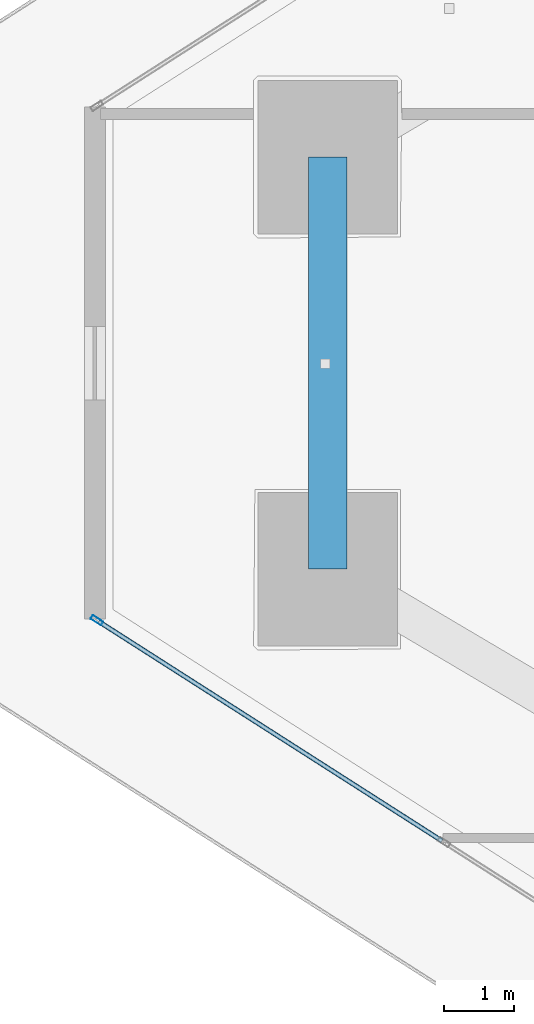
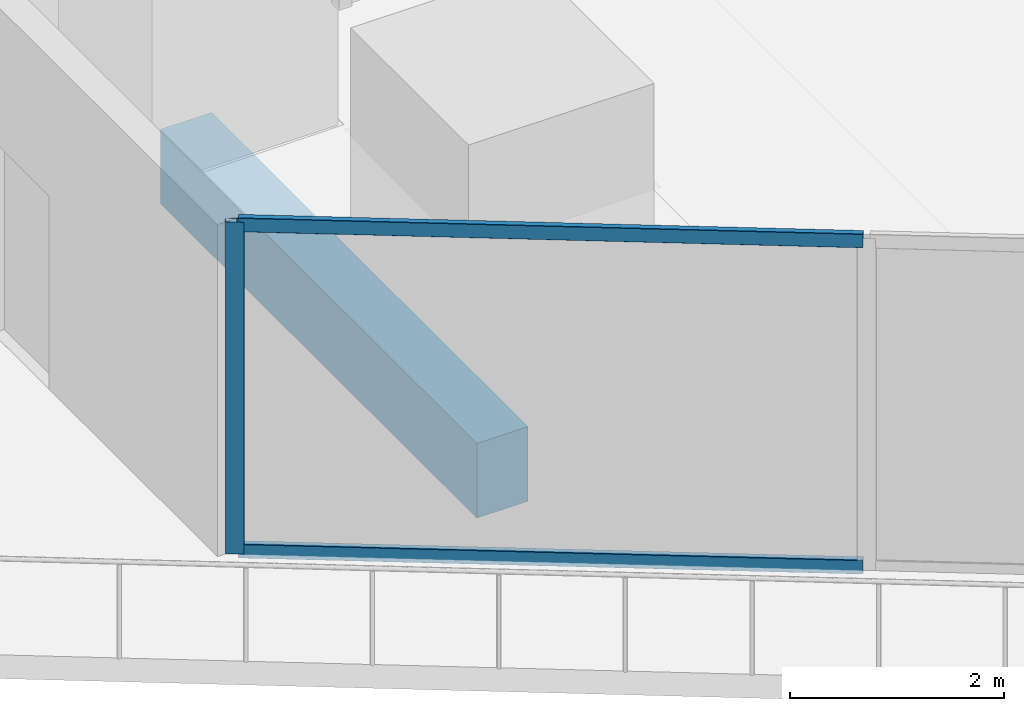
# One storey, part 5 of 39: 3 members, 1 beam, 1 element without a shape of its own.
"""IFC4 building model written with IfcOpenShell, lengths in metres."""

import ifcopenshell
import ifcopenshell.guid

model = None  # the IFC model being written
_history = None  # IfcOwnerHistory: only IFC2X3 demands one
_inside = {}  # id of a spatial element -> (the spatial element, [elements in it])
_under = {}  # id of a project, library or spatial element -> (it, [spatial elements below it])
_declared = {}  # id of a project -> (the project, [libraries it declares])
_typed = {}  # id of a type object -> (the type object, [elements of that type])
_made_of = {}  # id of a material, layer set ... -> (it, [elements and type objects made of it])


def new_model(schema):
    """Start an empty IFC model of exactly this schema.

    Asked for "IFC4X3", IfcOpenShell would pick the latest addendum, in which some entities
    have other attributes; the version numbers below select the first issue.
    IFC2X3 requires an IfcOwnerHistory on every rooted entity: one is made here for all.
    """
    global model, _history
    if schema == "IFC4X3":
        model = ifcopenshell.file(schema_version=(4, 3, 0, 0))
    else:
        model = ifcopenshell.file(schema=schema)
    _inside.clear()
    _under.clear()
    _declared.clear()
    _typed.clear()
    _made_of.clear()
    _history = None
    if model.schema == "IFC2X3":
        org = make("IfcOrganization", Name="unknown")
        user = make(
            "IfcPersonAndOrganization",
            ThePerson=make("IfcPerson", FamilyName="unknown"),
            TheOrganization=org,
        )
        app = make(
            "IfcApplication",
            ApplicationDeveloper=org,
            Version="unknown",
            ApplicationFullName="unknown",
            ApplicationIdentifier="unknown",
        )
        _history = make(
            "IfcOwnerHistory",
            OwningUser=user,
            OwningApplication=app,
            ChangeAction="ADDED",
            CreationDate=0,
        )
    return model


def make(cls, **values):
    """One entity of the class cls with the attributes given. An attribute that is None is left unset."""
    return model.create_entity(
        cls, **{name: value for name, value in values.items() if value is not None}
    )


def rooted(cls, **values):
    """An entity with a GlobalId (a new one), such as an element, a storey or a relation."""
    return make(cls, GlobalId=ifcopenshell.guid.new(), OwnerHistory=_history, **values)


def si_unit(unit_type, name, prefix=None):
    """IfcSIUnit, for example si_unit("LENGTHUNIT", "METRE", prefix="MILLI")."""
    return make("IfcSIUnit", UnitType=unit_type, Prefix=prefix, Name=name)


def assignment(units):
    """IfcUnitAssignment: the units of a project."""
    return None if units is None else make("IfcUnitAssignment", Units=units)


def point(xyz):
    """IfcCartesianPoint."""
    return None if xyz is None else make("IfcCartesianPoint", Coordinates=xyz)


def direction(xyz):
    """IfcDirection."""
    return None if xyz is None else make("IfcDirection", DirectionRatios=xyz)


def frame(location, z_axis=None, x_axis=None):
    """IfcAxis2Placement3D, a coordinate frame: its origin and axes. An axis left out is left unset."""
    return make(
        "IfcAxis2Placement3D",
        Location=point(location),
        Axis=direction(z_axis),
        RefDirection=direction(x_axis),
    )


def frame_2d(location, x_axis=None):
    """IfcAxis2Placement2D, a coordinate frame in the plane: its origin and x axis."""
    return make(
        "IfcAxis2Placement2D", Location=point(location), RefDirection=direction(x_axis)
    )


def origin():
    """The frame at (0, 0, 0) with its axes left unset."""
    return frame((0.0, 0.0, 0.0))


def origin_2d():
    """The frame at (0, 0) in the plane with its x axis left unset."""
    return frame_2d((0.0, 0.0))


def place(relative_to, where):
    """IfcLocalPlacement: puts the frame where relative to a parent placement (None: the world)."""
    return make(
        "IfcLocalPlacement", PlacementRelTo=relative_to, RelativePlacement=where
    )


def context(
    kind, dimensions, precision=None, world=None, true_north=None, identifier=None
):
    """IfcGeometricRepresentationContext, for example the 3D "Model" context."""
    return make(
        "IfcGeometricRepresentationContext",
        ContextIdentifier=identifier,
        ContextType=kind,
        CoordinateSpaceDimension=dimensions,
        Precision=precision,
        WorldCoordinateSystem=world,
        TrueNorth=true_north,
    )


def subcontext(parent, identifier, kind, view, scale=None):
    """IfcGeometricRepresentationSubContext, for example "Body" below "Model"."""
    return make(
        "IfcGeometricRepresentationSubContext",
        ContextIdentifier=identifier,
        ContextType=kind,
        ParentContext=parent,
        TargetScale=scale,
        TargetView=view,
    )


def project(units=None, contexts=None):
    """IfcProject with its units and contexts."""
    return rooted(
        "IfcProject",
        Name="project",
        RepresentationContexts=contexts,
        UnitsInContext=assignment(units),
    )


def spatial(cls, under=None, at=None, **own):
    """A site, building, storey or space (cls), placed at a placement, below another one or the project."""
    s = rooted(cls, ObjectPlacement=at, **own)
    if under is not None:
        _under.setdefault(under.id(), (under, []))[1].append(s)
    return s


def profile(cls, at=None, kind="AREA", **sizes):
    """A parametric profile (cls). Its sizes go by their IFC names, for example OverallWidth=200.0."""
    return make(cls, ProfileType=kind, Position=at, **sizes)


def rectangle(**sizes):
    """IfcRectangleProfileDef."""
    return profile("IfcRectangleProfileDef", **sizes)


def hollow_rectangle(**sizes):
    """IfcRectangleHollowProfileDef."""
    return profile("IfcRectangleHollowProfileDef", **sizes)


def extrude(swept, where, along, depth):
    """IfcExtrudedAreaSolid: the profile swept, set in the frame where, extruded along a direction by depth."""
    return make(
        "IfcExtrudedAreaSolid",
        SweptArea=swept,
        Position=where,
        ExtrudedDirection=direction(along),
        Depth=depth,
    )


def shape(context_of_items, identifier, shape_type, items):
    """IfcShapeRepresentation: the items that make up one representation, for example the "Body"."""
    return make(
        "IfcShapeRepresentation",
        ContextOfItems=context_of_items,
        RepresentationIdentifier=identifier,
        RepresentationType=shape_type,
        Items=items,
    )


def material(Name=None, Category=None):
    """IfcMaterial."""
    return make("IfcMaterial", Name=Name, Category=Category)


def layer(
    of_material, thickness, ventilated=None, Name=None, Category=None, Priority=None
):
    """IfcMaterialLayer: one layer of a wall or slab, of a material (None: an air gap)."""
    return make(
        "IfcMaterialLayer",
        Material=of_material,
        LayerThickness=thickness,
        IsVentilated=ventilated,
        Name=Name,
        Category=Category,
        Priority=Priority,
    )


def layer_set(layers, Name=None):
    """IfcMaterialLayerSet."""
    return make("IfcMaterialLayerSet", MaterialLayers=layers, LayerSetName=Name)


def material_profile(
    of_material, cross_section, Name=None, Category=None, Priority=None
):
    """IfcMaterialProfile: a cross section and its material."""
    return make(
        "IfcMaterialProfile",
        Name=Name,
        Material=of_material,
        Profile=cross_section,
        Priority=Priority,
        Category=Category,
    )


def profile_set(profiles, Name=None, composite=None):
    """IfcMaterialProfileSet."""
    return make(
        "IfcMaterialProfileSet",
        Name=Name,
        MaterialProfiles=profiles,
        CompositeProfile=composite,
    )


def made_of(thing, what):
    """Note that an element or type object is made of a material, layer set ...; save() writes the relation."""
    if what is not None:
        _made_of.setdefault(what.id(), (what, []))[1].append(thing)
    return thing


def type_object(cls, material=None, **own):
    """A type object (cls), such as IfcWallType, which elements share."""
    return made_of(rooted(cls, **own), material)


def element(
    cls,
    number,
    at=None,
    inside=None,
    cuts=None,
    type_object=None,
    material=None,
    context=None,
    identifier="Body",
    shape_type=None,
    held_by="IfcProductDefinitionShape",
    body=None,
    shapes=None,
    **own,
):
    """One element of the class cls, such as IfcWall. Its Tag is "e" and its number.

    at: its placement. inside: the storey or other place that contains it. cuts: it is an
    opening in that element (IfcRelVoidsElement). A single representation is given by context,
    identifier, shape_type and body (its items); several are given by shapes. held_by: the class
    of the entity that holds the representations. save() writes the other relations.
    """
    e = rooted(cls, Tag="e%d" % number, ObjectPlacement=at, **own)
    if body is not None:
        shapes = [shape(context, identifier, shape_type, body)]
    if shapes is not None:
        e.Representation = make(held_by, Representations=shapes)
    if inside is not None:
        _inside.setdefault(inside.id(), (inside, []))[1].append(e)
    if cuts is not None:
        rooted(
            "IfcRelVoidsElement", RelatingBuildingElement=cuts, RelatedOpeningElement=e
        )
    if type_object is not None:
        _typed.setdefault(type_object.id(), (type_object, []))[1].append(e)
    return made_of(e, material)


def aggregate(whole, parts):
    """IfcRelAggregates: a whole, such as a stair, and the parts it consists of."""
    return rooted("IfcRelAggregates", RelatingObject=whole, RelatedObjects=parts)


def save(model, path):
    """Write the relations noted so far, then the file.

    IfcRelAggregates (storeys below a building ...), IfcRelContainedInSpatialStructure (elements
    in a storey), IfcRelDefinesByType, IfcRelAssociatesMaterial and IfcRelDeclares: one each for
    every whole, place, type object, material and project.
    """
    for whole, parts in _under.values():
        aggregate(whole, parts)
    for where, things in _inside.values():
        rooted(
            "IfcRelContainedInSpatialStructure",
            RelatedElements=things,
            RelatingStructure=where,
        )
    for kind, things in _typed.values():
        rooted("IfcRelDefinesByType", RelatedObjects=things, RelatingType=kind)
    for what, things in _made_of.values():
        rooted("IfcRelAssociatesMaterial", RelatedObjects=things, RelatingMaterial=what)
    for by, libraries in _declared.values():
        rooted("IfcRelDeclares", RelatingContext=by, RelatedDefinitions=libraries)
    model.write(path)


model = new_model("IFC4")

# Units and contexts
model_context = context("Model", 3, precision=1e-05, world=origin(), true_north=direction((0.0, 1.0)))
body_context = subcontext(model_context, "Body", "Model", "MODEL_VIEW")
ifc_project = project(units=[si_unit("LENGTHUNIT", "METRE"), si_unit("AREAUNIT", "SQUARE_METRE"), si_unit("VOLUMEUNIT", "CUBIC_METRE"), si_unit("PLANEANGLEUNIT", "RADIAN"), si_unit("MASSUNIT", "GRAM", prefix="KILO")], contexts=[model_context])

# Site, building, storey
site_placement = place(None, origin())
site = spatial("IfcSite", under=ifc_project, at=site_placement, CompositionType="ELEMENT")
building_placement = place(site_placement, origin())
building = spatial("IfcBuilding", under=site, at=building_placement, Name="Qorvath Tower", CompositionType="ELEMENT")
storey_placement = place(building_placement, frame((0.0, 0.0, 162.449951171875)))
storey = spatial("IfcBuildingStorey", under=building, at=storey_placement, Name="L37", CompositionType="ELEMENT", Elevation=162.449951171875)

# Beam
ifc_material_1 = material(Name="Concrete C50/60", Category="concrete")
ifc_material_profile_1 = material_profile(ifc_material_1, rectangle(XDim=0.550048828125, YDim=0.85009765625, at=origin_2d()), Name="RCB 850x550")
ifc_profile_set_1 = profile_set([ifc_material_profile_1], Name="Concrete C50/60")
beam_type = type_object("IfcBeamType", Name="BM-RCB2", PredefinedType="SPANDREL", material=ifc_profile_set_1)
beam_placement = place(storey_placement, frame((-53.04931640625, 2.95068359375, -0.695068359375), z_axis=(0.0, -1.0, 0.0), x_axis=(1.0, 0.0, 0.0)))
element("IfcBeam", 1, at=beam_placement, inside=storey, type_object=beam_type, Name="Perimeter Loggia Frame Beam MC1-MC2 L37", PredefinedType="SPANDREL", context=body_context, shape_type="SweptSolid", body=[
    extrude(rectangle(XDim=0.550048828125, YDim=0.85009765625, at=origin_2d()), origin(), (0.0, 0.0, 1.0), 5.9013671875),
])

# Curtain wall, members
ifc_material_2 = material(Name="Anodised aluminium and triple low-E glass", Category="aluminium")
ifc_layer = layer(ifc_material_2, 0.179931640625)
ifc_layer_set = layer_set([ifc_layer], Name="CW-SYS-3")
curtain_wall_type = type_object("IfcCurtainWallType", Name="CW-SYS-3", PredefinedType="NOTDEFINED", material=ifc_layer_set)
curtain_wall_placement = place(storey_placement, origin())
curtain_wall = element("IfcCurtainWall", 2, at=curtain_wall_placement, inside=storey, type_object=curtain_wall_type, Name="Curtain Wall CW-3 CW-T-L37-2.1", PredefinedType="NOTDEFINED")
ifc_material_3 = material(Name="Anodised aluminium 6063-T6", Category="aluminium")
ifc_material_profile_2 = material_profile(ifc_material_3, hollow_rectangle(XDim=0.06494140625, YDim=0.179931640625, WallThickness=0.00341796875, InnerFilletRadius=0.00341796875, OuterFilletRadius=0.007080078125, at=origin_2d()), Name="CWM 180x65")
ifc_profile_set_2 = profile_set([ifc_material_profile_2], Name="Anodised aluminium 6063-T6")
member_type_1 = type_object("IfcMemberType", Name="CWM-180", PredefinedType="MULLION", material=ifc_profile_set_2)
member_1_placement = place(storey_placement, frame((-56.35498046875, -3.68408203125, 0.0), z_axis=(0.0, 0.0, 1.0), x_axis=(0.538533895245, 0.842603847411, 0.0)))
member_1 = element("IfcMember", 3, at=member_1_placement, type_object=member_type_1, Name="CW-3 mullion 1", PredefinedType="MULLION", context=body_context, shape_type="SweptSolid", body=[
    extrude(hollow_rectangle(XDim=0.06494140625, YDim=0.179931640625, WallThickness=0.00341796875, InnerFilletRadius=0.00341796875, OuterFilletRadius=0.007080078125, at=origin_2d()), origin(), (0.0, 0.0, 1.0), 3.780029296875),
])
ifc_material_4 = material(Name="Anodised aluminium 6063-T6", Category="aluminium")
ifc_material_profile_3 = material_profile(ifc_material_4, hollow_rectangle(XDim=0.06494140625, YDim=0.159912109375, WallThickness=0.00341796875, InnerFilletRadius=0.00341796875, OuterFilletRadius=0.007080078125, at=origin_2d()), Name="CWT 160x65")
ifc_profile_set_3 = profile_set([ifc_material_profile_3], Name="Anodised aluminium 6063-T6")
member_type_2 = type_object("IfcMemberType", Name="CWT-160", PredefinedType="USERDEFINED", material=ifc_profile_set_3)
member_2_placement = place(storey_placement, frame((-56.32763671875, -3.70166015625, 0.032470703125), z_axis=(0.842598707397, -0.538541937358, 0.0), x_axis=(0.538541937358, 0.842598707397, 0.0)))
member_2 = element("IfcMember", 4, at=member_2_placement, type_object=member_type_2, Name="CW-3 transom 1.1", ObjectType="TRANSOM", PredefinedType="USERDEFINED", context=body_context, shape_type="SweptSolid", body=[
    extrude(hollow_rectangle(XDim=0.06494140625, YDim=0.159912109375, WallThickness=0.00341796875, InnerFilletRadius=0.00341796875, OuterFilletRadius=0.007080078125, at=origin_2d()), origin(), (0.0, 0.0, 1.0), 5.835693359375),
])
member_3_placement = place(storey_placement, frame((-56.32763671875, -3.70166015625, 3.74755859375), z_axis=(0.842598707397, -0.538541937358, 0.0), x_axis=(0.538541937358, 0.842598707397, 0.0)))
member_3 = element("IfcMember", 5, at=member_3_placement, type_object=member_type_2, Name="CW-3 transom 1.2", ObjectType="TRANSOM", PredefinedType="USERDEFINED", context=body_context, shape_type="SweptSolid", body=[
    extrude(hollow_rectangle(XDim=0.06494140625, YDim=0.159912109375, WallThickness=0.00341796875, InnerFilletRadius=0.00341796875, OuterFilletRadius=0.007080078125, at=origin_2d()), origin(), (0.0, 0.0, 1.0), 5.835693359375),
])
aggregate(curtain_wall, [member_1, member_2, member_3])

save(model, "model.ifc")
